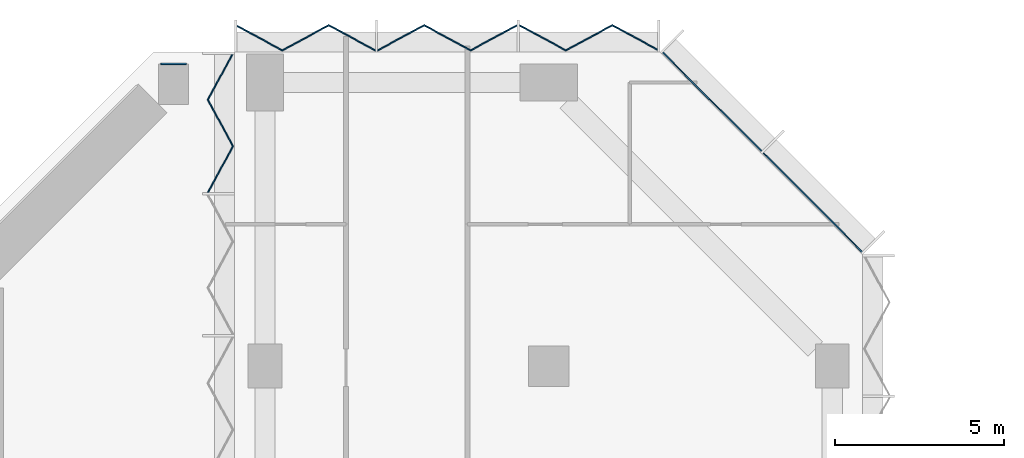
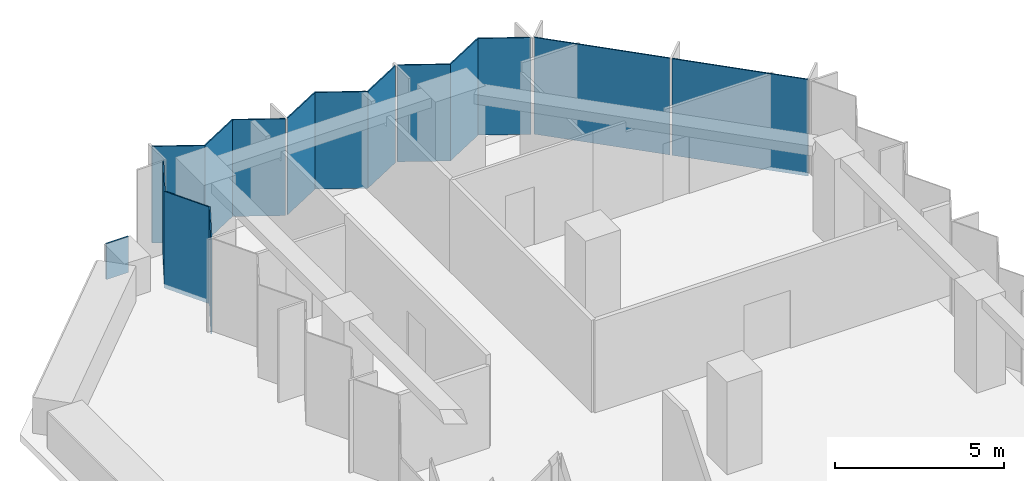
# One storey, part 9 of 18: 7 plates, 3 elements without a shape of their own.
"""IFC4 building model written with IfcOpenShell, lengths in metres."""

from ifc_helpers import new_model, si_unit, direction, frame, origin, place, context, subcontext, project, spatial, polyline, outline, extrude, material, layer, layer_set, type_object, element, aggregate, save


model = new_model("IFC4")

# Units and contexts
model_context = context("Model", 3, precision=1e-05, world=origin(), true_north=direction((0.0, 1.0)))
body_context = subcontext(model_context, "Body", "Model", "MODEL_VIEW")
ifc_project = project(units=[si_unit("LENGTHUNIT", "METRE"), si_unit("AREAUNIT", "SQUARE_METRE"), si_unit("VOLUMEUNIT", "CUBIC_METRE"), si_unit("PLANEANGLEUNIT", "RADIAN"), si_unit("MASSUNIT", "GRAM", prefix="KILO")], contexts=[model_context])

# Site, building, storey
site_placement = place(None, origin())
site = spatial("IfcSite", under=ifc_project, at=site_placement, CompositionType="ELEMENT")
building_placement = place(site_placement, origin())
building = spatial("IfcBuilding", under=site, at=building_placement, Name="Brevane Broadcast Tower", CompositionType="ELEMENT")
storey_placement = place(building_placement, frame((0.0, 0.0, 134.89990234375)))
storey = spatial("IfcBuildingStorey", under=building, at=storey_placement, Name="L33", CompositionType="ELEMENT", Elevation=134.89990234375)

# Curtain wall, plates
ifc_material_1 = material(Name="Aluminium 6063-T6 bronze anodised", Category="aluminium")
curtain_wall_type = type_object("IfcCurtainWallType", Name="CW-1 curtain wall", PredefinedType="NOTDEFINED", material=ifc_material_1)
curtain_wall_1_placement = place(storey_placement, origin())
curtain_wall_1 = element("IfcCurtainWall", 1, at=curtain_wall_1_placement, inside=storey, type_object=curtain_wall_type, Name="CW-1 typical tilted unit L33 north arm north-east chamfer", PredefinedType="NOTDEFINED")
ifc_material_2 = material(Name="Laminated glass bronze-tinted", Category="glass")
ifc_layer_1 = layer(ifc_material_2, 0.0400390625)
ifc_layer_set_1 = layer_set([ifc_layer_1], Name="CW tall glass panel 40")
plate_type_1 = type_object("IfcPlateType", Name="CW tall glass panel 40", PredefinedType="CURTAIN_PANEL", material=ifc_layer_set_1)
plate_1_placement = place(storey_placement, frame((0.0, 0.0, -0.14990234375)))
plate_1 = element("IfcPlate", 2, at=plate_1_placement, type_object=plate_type_1, Name="CW-1 glass panel", PredefinedType="CURTAIN_PANEL", context=body_context, shape_type="SweptSolid", body=[
    extrude(outline(polyline([(26.096435546875, 62.14599609375), (23.14599609375, 65.096435546875), (23.17431640625, 65.124755859375), (26.124755859375, 62.17431640625), (26.096435546875, 62.14599609375)])), origin(), (0.0, 0.0, 1.0), 3.5),
])
plate_2_placement = place(storey_placement, frame((0.0, 0.0, -0.14990234375)))
plate_2 = element("IfcPlate", 3, at=plate_2_placement, type_object=plate_type_1, Name="CW-1 glass panel", PredefinedType="CURTAIN_PANEL", context=body_context, shape_type="SweptSolid", body=[
    extrude(outline(polyline([(23.096435546875, 65.14599609375), (20.14599609375, 68.096435546875), (20.17431640625, 68.124755859375), (23.124755859375, 65.17431640625), (23.096435546875, 65.14599609375)])), origin(), (0.0, 0.0, 1.0), 3.5),
])
aggregate(curtain_wall_1, [plate_1, plate_2])

curtain_wall_2_placement = place(storey_placement, origin())
curtain_wall_2 = element("IfcCurtainWall", 4, at=curtain_wall_2_placement, inside=storey, type_object=curtain_wall_type, Name="CW-1 typical tilted unit L33 north end", PredefinedType="NOTDEFINED")
plate_3_placement = place(storey_placement, frame((0.0, 0.0, -0.14990234375)))
plate_3 = element("IfcPlate", 5, at=plate_3_placement, type_object=plate_type_1, Name="CW-1 glass panel", PredefinedType="CURTAIN_PANEL", context=body_context, shape_type="SweptSolid", body=[
    extrude(outline(polyline([(20.06494140625, 68.127197265625), (20.06494140625, 68.172607421875), (18.688232421875, 68.9169921875), (17.311767578125, 68.172607421875), (15.93505859375, 68.9169921875), (15.93505859375, 68.87158203125), (17.311767578125, 68.127197265625), (18.688232421875, 68.87158203125), (20.06494140625, 68.127197265625)])), origin(), (0.0, 0.0, 1.0), 3.5),
])
plate_4_placement = place(storey_placement, frame((0.0, 0.0, -0.14990234375)))
plate_4 = element("IfcPlate", 6, at=plate_4_placement, type_object=plate_type_1, Name="CW-1 glass panel", PredefinedType="CURTAIN_PANEL", context=body_context, shape_type="SweptSolid", body=[
    extrude(outline(polyline([(15.864990234375, 68.87158203125), (15.864990234375, 68.9169921875), (14.48828125, 68.172607421875), (13.11181640625, 68.9169921875), (11.735107421875, 68.172607421875), (11.735107421875, 68.127197265625), (13.11181640625, 68.87158203125), (14.48828125, 68.127197265625), (15.864990234375, 68.87158203125)])), origin(), (0.0, 0.0, 1.0), 3.5),
])
plate_5_placement = place(storey_placement, frame((0.0, 0.0, -0.14990234375)))
plate_5 = element("IfcPlate", 7, at=plate_5_placement, type_object=plate_type_1, Name="CW-1 glass panel", PredefinedType="CURTAIN_PANEL", context=body_context, shape_type="SweptSolid", body=[
    extrude(outline(polyline([(11.6650390625, 68.127197265625), (11.6650390625, 68.172607421875), (10.288330078125, 68.9169921875), (8.91162109375, 68.172607421875), (7.534912109375, 68.9169921875), (7.534912109375, 68.87158203125), (8.91162109375, 68.127197265625), (10.288330078125, 68.87158203125), (11.6650390625, 68.127197265625)])), origin(), (0.0, 0.0, 1.0), 3.5),
])
aggregate(curtain_wall_2, [plate_3, plate_4, plate_5])

# Curtain wall, plate
curtain_wall_3_placement = place(storey_placement, origin())
curtain_wall_3 = element("IfcCurtainWall", 8, at=curtain_wall_3_placement, inside=storey, type_object=curtain_wall_type, Name="CW-1 typical tilted unit L33 north wing west face above the set-back", PredefinedType="NOTDEFINED")
plate_6_placement = place(storey_placement, frame((0.0, 0.0, -0.14990234375)))
plate_6 = element("IfcPlate", 9, at=plate_6_placement, type_object=plate_type_1, Name="CW-1 glass panel", PredefinedType="CURTAIN_PANEL", context=body_context, shape_type="SweptSolid", body=[
    extrude(outline(polyline([(7.47265625, 68.06494140625), (7.42724609375, 68.06494140625), (6.682861328125, 66.688232421875), (7.42724609375, 65.311767578125), (6.682861328125, 63.93505859375), (6.728271484375, 63.93505859375), (7.47265625, 65.311767578125), (6.728271484375, 66.688232421875), (7.47265625, 68.06494140625)])), origin(), (0.0, 0.0, 1.0), 3.5),
])
aggregate(curtain_wall_3, [plate_6])

# Plate
ifc_material_3 = material(Name="Aluminium bronze anodised", Category="aluminium")
ifc_layer_2 = layer(ifc_material_3, 0.050048828125)
ifc_layer_set_2 = layer_set([ifc_layer_2], Name="Planter fascia plate 1300")
plate_type_2 = type_object("IfcPlateType", Name="Planter fascia plate 1300", PredefinedType="SHEET", material=ifc_layer_set_2)
plate_7_placement = place(storey_placement, frame((6.0673828125, 67.77490234375, 0.0), z_axis=(0.0, 1.0, 0.0), x_axis=(-1.0, 0.0, 0.0)))
element("IfcPlate", 10, at=plate_7_placement, inside=storey, type_object=plate_type_2, Name="Bed fascia L33-2", PredefinedType="SHEET", context=body_context, shape_type="SweptSolid", body=[
    extrude(outline(polyline([(0.0, 0.0), (0.762451171875, 0.0), (0.762451171875, 1.300048828125), (0.0, 1.300048828125), (0.0, 0.0)])), origin(), (0.0, 0.0, -1.0), 0.050048828125),
])

save(model, "model.ifc")
